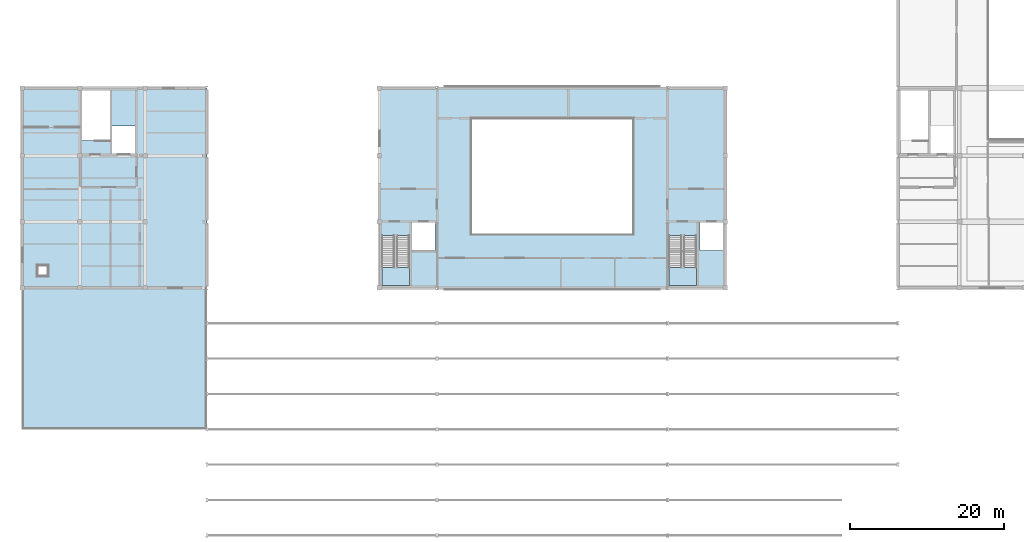
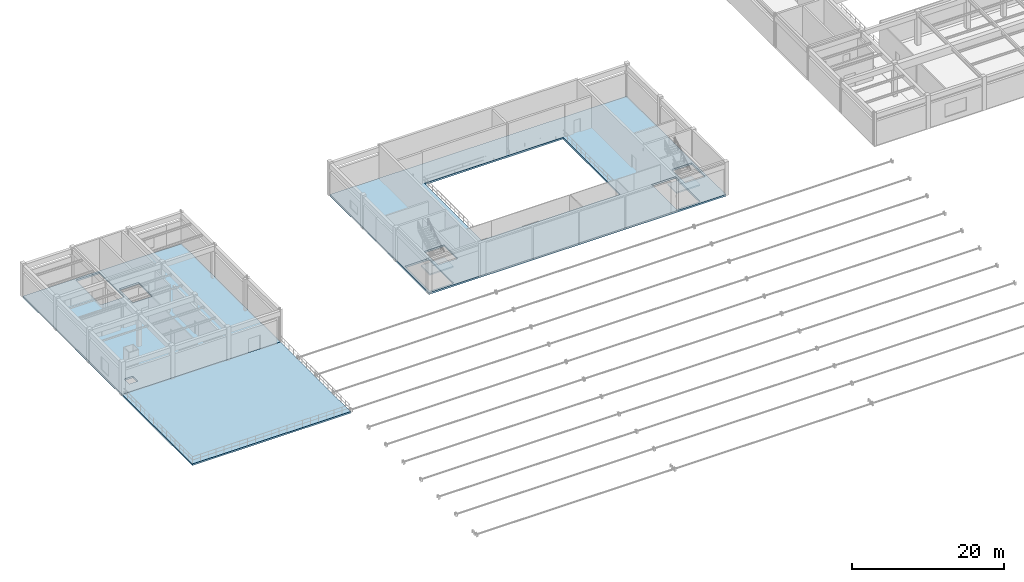
# One storey, part 20 of 38: 5 slabs, 2 elements without a shape of their own.
"""IFC4 building model written with IfcOpenShell, lengths in metres."""

from ifc_helpers import new_model, si_unit, direction, frame, origin, place, context, subcontext, project, spatial, polyline, outline, extrude, material, layer, layer_set, type_object, element, aggregate, save


model = new_model("IFC4")

# Units and contexts
model_context = context("Model", 3, precision=1e-05, world=origin(), true_north=direction((0.0, 1.0)))
body_context = subcontext(model_context, "Body", "Model", "MODEL_VIEW")
ifc_project = project(units=[si_unit("LENGTHUNIT", "METRE"), si_unit("AREAUNIT", "SQUARE_METRE"), si_unit("VOLUMEUNIT", "CUBIC_METRE"), si_unit("PLANEANGLEUNIT", "RADIAN"), si_unit("MASSUNIT", "GRAM", prefix="KILO")], contexts=[model_context])

# Site, building, storey
site_placement = place(None, origin())
site = spatial("IfcSite", under=ifc_project, at=site_placement, CompositionType="ELEMENT")
building_placement = place(site_placement, origin())
building = spatial("IfcBuilding", under=site, at=building_placement, Name="Muzn Square Opera House", CompositionType="ELEMENT")
storey_placement = place(building_placement, frame((0.0, 0.0, 18.0)))
storey = spatial("IfcBuildingStorey", under=building, at=storey_placement, Name="L04", CompositionType="ELEMENT", Elevation=18.0)

# Slabs
ifc_material = material(Name="Concrete C40/50", Category="concrete")
ifc_layer_1 = layer(ifc_material, 0.280029296875, Name="Concrete C40/50", Category="concrete")
ifc_layer_set_1 = layer_set([ifc_layer_1], Name="Concrete C40/50")
slab_type_1 = type_object("IfcSlabType", Name="Floor Slab 280mm", PredefinedType="FLOOR", material=ifc_layer_set_1)
slab_1_placement = place(storey_placement, frame((0.0, 0.0, -0.280029296875)))
element("IfcSlab", 1, at=slab_1_placement, inside=storey, type_object=slab_type_1, Name="Floor Slab SLB-L04-FLY", PredefinedType="FLOOR", context=body_context, shape_type="SweptSolid", body=[
    extrude(outline(polyline([(65.5, 72.60009765625), (110.5, 72.60009765625), (110.5, 98.60009765625), (65.5, 98.60009765625), (65.5, 72.60009765625)]), holes=[polyline([(77.5, 79.60009765625), (98.5, 79.60009765625), (98.5, 94.60009765625), (77.5, 94.60009765625), (77.5, 79.60009765625)]), polyline([(65.800048828125, 72.89990234375), (69.39990234375, 72.89990234375), (69.39990234375, 79.431884765625), (65.800048828125, 79.431884765625), (65.800048828125, 72.89990234375)]), polyline([(69.699951171875, 77.5), (72.699951171875, 77.5), (72.699951171875, 81.10009765625), (69.699951171875, 81.10009765625), (69.699951171875, 77.5)]), polyline([(103.169921875, 72.89990234375), (106.77001953125, 72.89990234375), (106.77001953125, 79.431884765625), (103.169921875, 79.431884765625), (103.169921875, 72.89990234375)]), polyline([(107.199951171875, 77.5), (110.199951171875, 77.5), (110.199951171875, 81.10009765625), (107.199951171875, 81.10009765625), (107.199951171875, 77.5)])]), origin(), (0.0, 0.0, 1.0), 0.280029296875),
])
slab_2_placement = place(storey_placement, frame((0.0, 0.0, -0.280029296875)))
element("IfcSlab", 2, at=slab_2_placement, inside=storey, type_object=slab_type_1, Name="Floor Slab SLB-L04-WCORE", PredefinedType="FLOOR", context=body_context, shape_type="SweptSolid", body=[
    extrude(outline(polyline([(19.0, 72.60009765625), (43.0, 72.60009765625), (43.0, 98.60009765625), (19.0, 98.60009765625), (19.0, 72.60009765625)]), holes=[polyline([(26.800048828125, 91.76806640625), (30.39990234375, 91.76806640625), (30.39990234375, 98.300048828125), (26.800048828125, 98.300048828125), (26.800048828125, 91.76806640625)]), polyline([(30.699951171875, 90.10009765625), (33.699951171875, 90.10009765625), (33.699951171875, 93.699951171875), (30.699951171875, 93.699951171875), (30.699951171875, 90.10009765625)]), polyline([(21.0, 74.199951171875), (22.300048828125, 74.199951171875), (22.300048828125, 75.5), (21.0, 75.5), (21.0, 74.199951171875)])]), origin(), (0.0, 0.0, 1.0), 0.280029296875),
])

# Stair, slab
stair_type = type_object("IfcStairType", Name="Core Escape Dogleg Stair", PredefinedType="HALF_TURN_STAIR", material=ifc_material)
stair_1_placement = place(storey_placement, origin())
stair_1 = element("IfcStair", 3, at=stair_1_placement, inside=storey, type_object=stair_type, Name="L04 Escape Stair ST-1", PredefinedType="HALF_TURN_STAIR")
ifc_layer_2 = layer(ifc_material, 0.199951171875, Name="Concrete C40/50", Category="concrete")
ifc_layer_set_2 = layer_set([ifc_layer_2], Name="Concrete C40/50")
slab_type_2 = type_object("IfcSlabType", Name="Stair Half Landing 200mm", PredefinedType="LANDING", material=ifc_layer_set_2)
slab_3_placement = place(storey_placement, frame((0.0, 0.0, 2.5)))
slab_3 = element("IfcSlab", 4, at=slab_3_placement, type_object=slab_type_2, Name="ST-1 landing 1", PredefinedType="LANDING", context=body_context, shape_type="SweptSolid", body=[
    extrude(outline(polyline([(65.800048828125, 75.239990234375), (65.800048828125, 72.89990234375), (69.39990234375, 72.89990234375), (69.39990234375, 75.239990234375), (65.800048828125, 75.239990234375)])), origin(), (0.0, 0.0, 1.0), 0.199951171875),
])
aggregate(stair_1, [slab_3])

stair_2_placement = place(storey_placement, origin())
stair_2 = element("IfcStair", 5, at=stair_2_placement, inside=storey, type_object=stair_type, Name="L04 Escape Stair ST-2", PredefinedType="HALF_TURN_STAIR")
slab_4_placement = place(storey_placement, frame((0.0, 0.0, 2.5)))
slab_4 = element("IfcSlab", 6, at=slab_4_placement, type_object=slab_type_2, Name="ST-2 landing 1", PredefinedType="LANDING", context=body_context, shape_type="SweptSolid", body=[
    extrude(outline(polyline([(103.169921875, 75.239990234375), (103.169921875, 72.89990234375), (106.77001953125, 72.89990234375), (106.77001953125, 75.239990234375), (103.169921875, 75.239990234375)])), origin(), (0.0, 0.0, 1.0), 0.199951171875),
])
aggregate(stair_2, [slab_4])

# Slab
ifc_layer_3 = layer(ifc_material, 0.260009765625, Name="Concrete C40/50", Category="concrete")
ifc_layer_set_3 = layer_set([ifc_layer_3], Name="Concrete C40/50")
slab_type_3 = type_object("IfcSlabType", Name="Terrace Slab 260mm", PredefinedType="FLOOR", material=ifc_layer_set_3)
slab_5_placement = place(storey_placement, frame((0.0, 0.0, -0.260009765625)))
element("IfcSlab", 7, at=slab_5_placement, inside=storey, type_object=slab_type_3, Name="Outdoor Terrace Slab EXT-L04-WTERR", PredefinedType="FLOOR", context=body_context, shape_type="SweptSolid", body=[
    extrude(outline(polyline([(19.0, 54.199951171875), (43.0, 54.199951171875), (43.0, 72.60009765625), (19.0, 72.60009765625), (19.0, 54.199951171875)])), origin(), (0.0, 0.0, 1.0), 0.260009765625),
])

save(model, "model.ifc")
